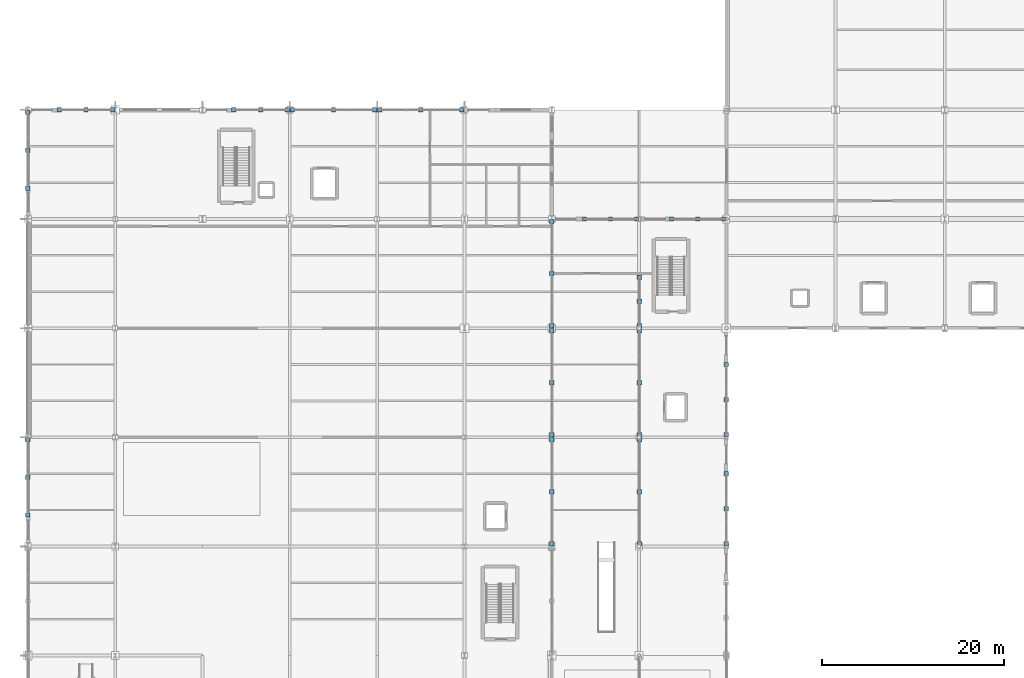
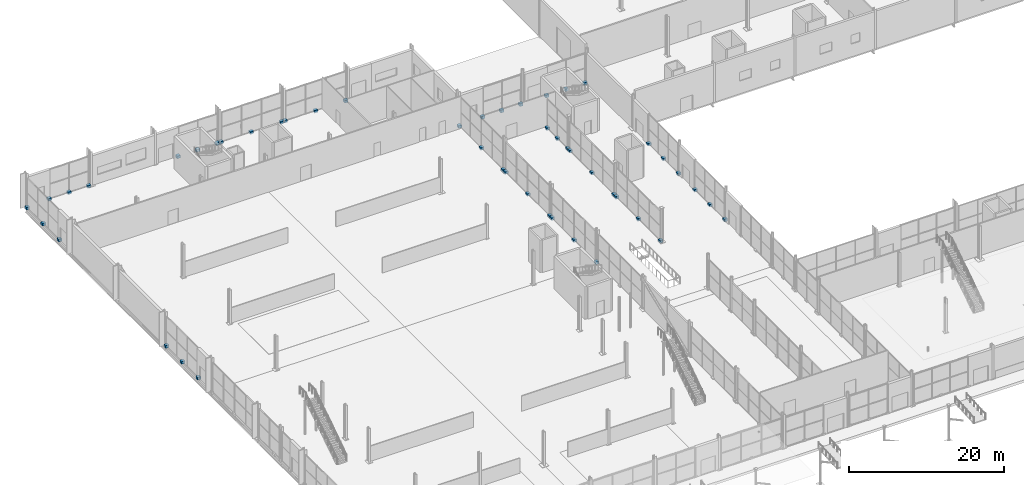
# One storey, part 186 of 196: 48 discrete accessories.
"""IFC4 building model written with IfcOpenShell, lengths in metres."""

from ifc_helpers import new_model, si_unit, direction, frame, origin, origin_2d, place, context, subcontext, project, spatial, rectangle, extrude, material, layer, layer_set, type_object, element, save


model = new_model("IFC4")

# Units and contexts
model_context = context("Model", 3, precision=1e-05, world=origin(), true_north=direction((0.0, 1.0)))
body_context = subcontext(model_context, "Body", "Model", "MODEL_VIEW")
ifc_project = project(units=[si_unit("LENGTHUNIT", "METRE"), si_unit("AREAUNIT", "SQUARE_METRE"), si_unit("VOLUMEUNIT", "CUBIC_METRE"), si_unit("PLANEANGLEUNIT", "RADIAN"), si_unit("MASSUNIT", "GRAM", prefix="KILO")], contexts=[model_context])

# Site, building, storey
site_placement = place(None, origin())
site = spatial("IfcSite", under=ifc_project, at=site_placement, CompositionType="ELEMENT")
building_placement = place(site_placement, origin())
building = spatial("IfcBuilding", under=site, at=building_placement, Name="Merenkruunu Market Hall", CompositionType="ELEMENT")
storey_placement = place(building_placement, origin())
storey = spatial("IfcBuildingStorey", under=building, at=storey_placement, Name="L00", CompositionType="ELEMENT", Elevation=0.0)

# Discrete accessories
ifc_material = material(Name="Brushed stainless steel", Category="steel")
ifc_layer = layer(ifc_material, 0.159912109375)
ifc_layer_set = layer_set([ifc_layer], Name="Brushed stainless steel")
discrete_accessory_type = type_object("IfcDiscreteAccessoryType", Name="Stainless Facade Support Bracket BRK01", PredefinedType="BRACKET", material=ifc_layer_set)
for number, where, z_axis, x_axis, name in (
    (1, (0.0, 67.050048828125, -0.199951171875), (0.0, 0.0, 1.0), (1.0, 0.0, 0.0), "ACC-CWBRK-013-1"),
    (2, (0.0, 71.18505859375, -0.199951171875), (0.0, 0.0, 1.0), (1.0, 0.0, 0.0), "ACC-CWBRK-013-2"),
    (3, (0.0, 75.320068359375, -0.199951171875), (0.0, 0.0, 1.0), (1.0, 0.0, 0.0), "ACC-CWBRK-013-3"),
    (4, (0.0, 103.0, -0.199951171875), (0.0, 0.0, 1.0), (1.0, 0.0, 0.0), "ACC-CWBRK-016-1"),
    (5, (0.0, 107.159912109375, -0.199951171875), (0.0, 0.0, 1.0), (1.0, 0.0, 0.0), "ACC-CWBRK-016-2"),
    (6, (0.0, 111.320068359375, -0.199951171875), (0.0, 0.0, 1.0), (1.0, 0.0, 0.0), "ACC-CWBRK-016-3"),
    (7, (3.449951171875, 111.60009765625, -0.199951171875), (0.0, 0.0, 1.0), (1.0, 0.0, 0.0), "ACC-CWBRK-051-1"),
    (8, (6.385009765625, 111.60009765625, -0.199951171875), (0.0, 0.0, 1.0), (1.0, 0.0, 0.0), "ACC-CWBRK-051-2"),
    (9, (9.320068359375, 111.60009765625, -0.199951171875), (0.0, 0.0, 1.0), (1.0, 0.0, 0.0), "ACC-CWBRK-051-3"),
    (10, (22.64990234375, 111.60009765625, -0.199951171875), (0.0, 0.0, 1.0), (1.0, 0.0, 0.0), "ACC-CWBRK-056-1"),
    (11, (25.5849609375, 111.60009765625, -0.199951171875), (0.0, 0.0, 1.0), (1.0, 0.0, 0.0), "ACC-CWBRK-056-2"),
    (12, (28.52001953125, 111.60009765625, -0.199951171875), (0.0, 0.0, 1.0), (1.0, 0.0, 0.0), "ACC-CWBRK-056-3"),
    (13, (29.080078125, 111.60009765625, -0.199951171875), (0.0, 0.0, 1.0), (1.0, 0.0, 0.0), "ACC-CWBRK-059-1"),
    (14, (33.60009765625, 111.60009765625, -0.199951171875), (0.0, 0.0, 1.0), (1.0, 0.0, 0.0), "ACC-CWBRK-059-2"),
    (15, (38.1201171875, 111.60009765625, -0.199951171875), (0.0, 0.0, 1.0), (1.0, 0.0, 0.0), "ACC-CWBRK-059-3"),
    (16, (38.679931640625, 111.60009765625, -0.199951171875), (0.0, 0.0, 1.0), (1.0, 0.0, 0.0), "ACC-CWBRK-062-1"),
    (17, (43.199951171875, 111.60009765625, -0.199951171875), (0.0, 0.0, 1.0), (1.0, 0.0, 0.0), "ACC-CWBRK-062-2"),
    (18, (47.719970703125, 111.60009765625, -0.199951171875), (0.0, 0.0, 1.0), (1.0, 0.0, 0.0), "ACC-CWBRK-062-3"),
    (19, (57.60009765625, 63.8798828125, -0.199951171875), (0.0, 0.0, 1.0), (1.0, 0.0, 0.0), "ACC-CWBRK-130-1"),
    (20, (57.60009765625, 69.60009765625, -0.199951171875), (0.0, 0.0, 1.0), (1.0, 0.0, 0.0), "ACC-CWBRK-130-2"),
    (21, (57.60009765625, 75.320068359375, -0.199951171875), (0.0, 0.0, 1.0), (1.0, 0.0, 0.0), "ACC-CWBRK-130-3"),
    (22, (57.60009765625, 75.8798828125, -0.199951171875), (0.0, 0.0, 1.0), (1.0, 0.0, 0.0), "ACC-CWBRK-133-1"),
    (23, (57.60009765625, 81.60009765625, -0.199951171875), (0.0, 0.0, 1.0), (1.0, 0.0, 0.0), "ACC-CWBRK-133-2"),
    (24, (57.60009765625, 87.320068359375, -0.199951171875), (0.0, 0.0, 1.0), (1.0, 0.0, 0.0), "ACC-CWBRK-133-3"),
    (25, (57.60009765625, 87.8798828125, -0.199951171875), (0.0, 0.0, 1.0), (1.0, 0.0, 0.0), "ACC-CWBRK-135-1"),
    (26, (57.60009765625, 93.60009765625, -0.199951171875), (0.0, 0.0, 1.0), (1.0, 0.0, 0.0), "ACC-CWBRK-135-2"),
    (27, (57.60009765625, 99.320068359375, -0.199951171875), (0.0, 0.0, 1.0), (1.0, 0.0, 0.0), "ACC-CWBRK-135-3"),
    (28, (61.199951171875, 99.60009765625, -0.199951171875), (0.0, 0.0, 1.0), (1.0, 0.0, 0.0), "ACC-CWBRK-142-1"),
    (29, (64.06005859375, 99.60009765625, -0.199951171875), (0.0, 0.0, 1.0), (1.0, 0.0, 0.0), "ACC-CWBRK-142-2"),
    (30, (66.919921875, 99.60009765625, -0.199951171875), (0.0, 0.0, 1.0), (1.0, 0.0, 0.0), "ACC-CWBRK-142-3"),
    (31, (70.800048828125, 99.60009765625, -0.199951171875), (0.0, 0.0, 1.0), (1.0, 0.0, 0.0), "ACC-CWBRK-148-1"),
    (32, (73.659912109375, 99.60009765625, -0.199951171875), (0.0, 0.0, 1.0), (1.0, 0.0, 0.0), "ACC-CWBRK-148-2"),
    (33, (76.52001953125, 99.60009765625, -0.199951171875), (0.0, 0.0, 1.0), (1.0, 0.0, 0.0), "ACC-CWBRK-148-3"),
    (34, (76.800048828125, 71.60009765625, -0.199951171875), (0.0, 0.0, 1.0), (1.0, 0.0, 0.0), "ACC-CWBRK-162-1"),
    (35, (76.800048828125, 67.739990234375, -0.199951171875), (0.0, 0.0, 1.0), (1.0, 0.0, 0.0), "ACC-CWBRK-162-2"),
    (36, (76.800048828125, 63.8798828125, -0.199951171875), (0.0, 0.0, 1.0), (1.0, 0.0, 0.0), "ACC-CWBRK-162-3"),
    (37, (76.800048828125, 83.60009765625, -0.199951171875), (0.0, 0.0, 1.0), (1.0, 0.0, 0.0), "ACC-CWBRK-165-1"),
    (38, (76.800048828125, 79.739990234375, -0.199951171875), (0.0, 0.0, 1.0), (1.0, 0.0, 0.0), "ACC-CWBRK-165-2"),
    (39, (76.800048828125, 75.8798828125, -0.199951171875), (0.0, 0.0, 1.0), (1.0, 0.0, 0.0), "ACC-CWBRK-165-3"),
    (40, (67.199951171875, 63.8798828125, -0.199951171875), (0.0, 0.0, 1.0), (1.0, 0.0, 0.0), "ACC-CWBRK-174-1"),
    (41, (67.199951171875, 69.60009765625, -0.199951171875), (0.0, 0.0, 1.0), (1.0, 0.0, 0.0), "ACC-CWBRK-174-2"),
    (42, (67.199951171875, 75.320068359375, -0.199951171875), (0.0, 0.0, 1.0), (1.0, 0.0, 0.0), "ACC-CWBRK-174-3"),
    (43, (67.199951171875, 75.8798828125, -0.199951171875), (0.0, 0.0, 1.0), (1.0, 0.0, 0.0), "ACC-CWBRK-176-1"),
    (44, (67.199951171875, 81.60009765625, -0.199951171875), (0.0, 0.0, 1.0), (1.0, 0.0, 0.0), "ACC-CWBRK-176-2"),
    (45, (67.199951171875, 87.320068359375, -0.199951171875), (0.0, 0.0, 1.0), (1.0, 0.0, 0.0), "ACC-CWBRK-176-3"),
    (46, (67.199951171875, 87.8798828125, -0.199951171875), (0.0, 0.0, 1.0), (1.0, 0.0, 0.0), "ACC-CWBRK-178-1"),
    (47, (67.199951171875, 90.5400390625, -0.199951171875), (0.0, 0.0, 1.0), (1.0, 0.0, 0.0), "ACC-CWBRK-178-2"),
    (48, (67.199951171875, 93.199951171875, -0.199951171875), (0.0, 0.0, 1.0), (1.0, 0.0, 0.0), "ACC-CWBRK-178-3"),
):
    element("IfcDiscreteAccessory", number, at=place(storey_placement, frame(where, z_axis=z_axis, x_axis=x_axis)), inside=storey, type_object=discrete_accessory_type, Name=name, PredefinedType="BRACKET", context=body_context, shape_type="SweptSolid", body=[
        extrude(rectangle(XDim=0.47998046875, YDim=0.47998046875, at=origin_2d()), origin(), (0.0, 0.0, 1.0), 0.39990234375),
    ])

save(model, "model.ifc")
